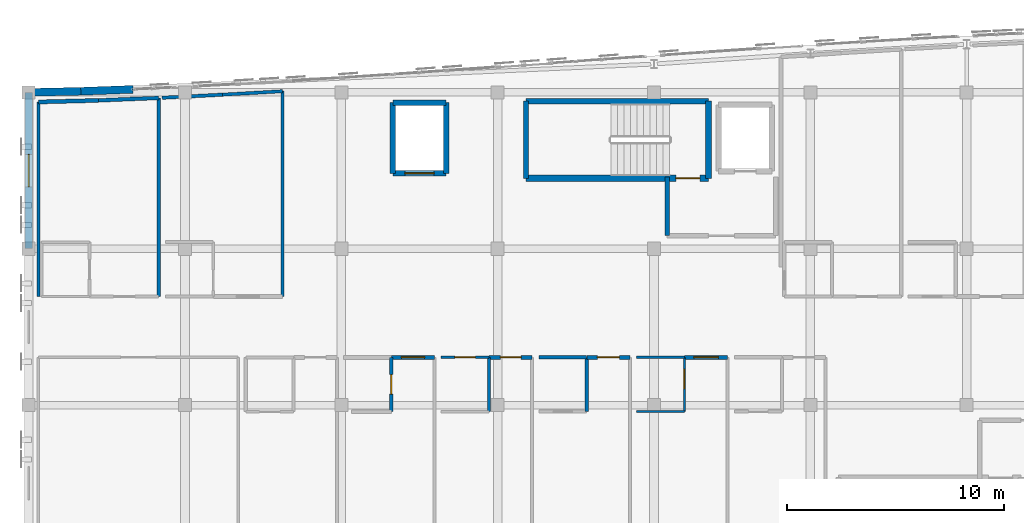
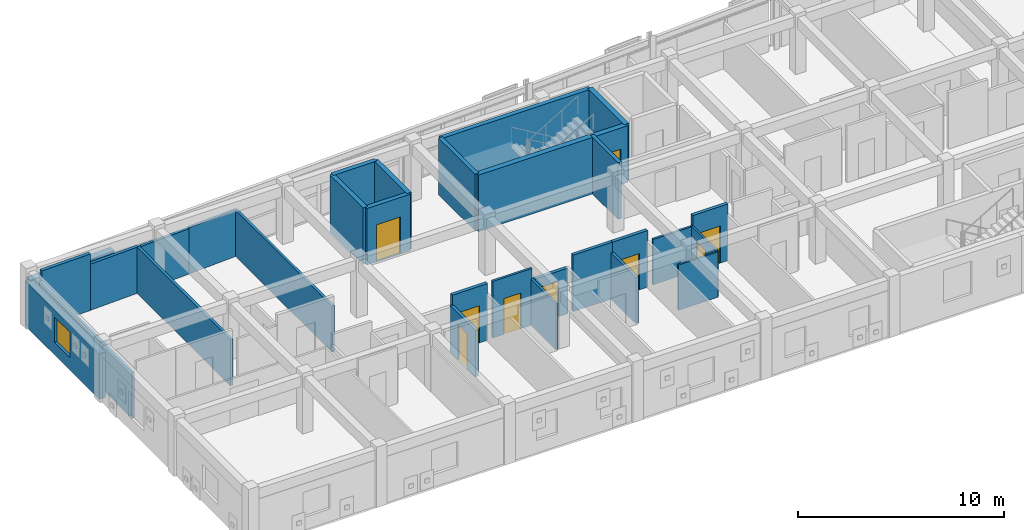
# One storey, part 39 of 51: 31 walls, 9 doors, 1 window, 10 openings.
"""IFC4 building model written with IfcOpenShell, lengths in metres."""

from ifc_helpers import new_model, si_unit, direction, frame, frame_2d, origin, place, context, subcontext, project, spatial, rectangle, extrude, material, layer, layer_set, type_object, element, fill, save


model = new_model("IFC4")

# Units and contexts
model_context = context("Model", 3, precision=1e-05, world=origin(), true_north=direction((0.0, 1.0)))
body_context = subcontext(model_context, "Body", "Model", "MODEL_VIEW")
ifc_project = project(units=[si_unit("LENGTHUNIT", "METRE"), si_unit("AREAUNIT", "SQUARE_METRE"), si_unit("VOLUMEUNIT", "CUBIC_METRE"), si_unit("PLANEANGLEUNIT", "RADIAN"), si_unit("MASSUNIT", "GRAM", prefix="KILO")], contexts=[model_context])

# Site, building, storey
site_placement = place(None, origin())
site = spatial("IfcSite", under=ifc_project, at=site_placement, CompositionType="ELEMENT")
building_placement = place(site_placement, origin())
building = spatial("IfcBuilding", under=site, at=building_placement, Name="Carrowvane Square Congress Hotel", CompositionType="ELEMENT")
storey_placement = place(building_placement, frame((0.0, 0.0, 30.0)))
storey = spatial("IfcBuildingStorey", under=building, at=storey_placement, Name="L07", CompositionType="ELEMENT", Elevation=30.0)

# Walls
ifc_material_1 = material(Name="Glazed terracotta rainscreen", Category="masonry")
ifc_layer_1 = layer(ifc_material_1, 0.360107421875)
ifc_layer_set_1 = layer_set([ifc_layer_1], Name="Glazed terracotta rainscreen")
wall_type_1 = type_object("IfcWallType", Name="WL-EXT-TC360", PredefinedType="STANDARD", material=ifc_layer_set_1)
wall_1_placement = place(storey_placement, frame((33.199951171875, 113.39990234375, 0.0), z_axis=(0.0, 0.0, 1.0), x_axis=(0.999767568547, 0.021559426766, 0.0)))
element("IfcWall", 1, at=wall_1_placement, inside=storey, type_object=wall_type_1, Name="L07 exterior facade wall 507", PredefinedType="STANDARD", context=body_context, shape_type="SweptSolid", body=[
    extrude(rectangle(XDim=2.400634765625, YDim=0.360107421875, at=frame_2d((1.2001953125, 0.0))), origin(), (0.0, 0.0, 1.0), 2.7451171875),
])
wall_2_placement = place(storey_placement, frame((35.60009765625, 113.45166015625, 0.0), z_axis=(0.0, 0.0, 1.0), x_axis=(0.99930757318, 0.037207179225, 0.0)))
element("IfcWall", 2, at=wall_2_placement, inside=storey, type_object=wall_type_1, Name="L07 exterior facade wall 508", PredefinedType="STANDARD", context=body_context, shape_type="SweptSolid", body=[
    extrude(rectangle(XDim=2.401611328125, YDim=0.360107421875, at=frame_2d((1.20068359375, 0.0))), origin(), (0.0, 0.0, 1.0), 2.7451171875),
])

# Wall, opening, window
wall_3_placement = place(storey_placement, frame((33.199951171875, 106.199951171875, 0.0), z_axis=(0.0, 0.0, 1.0), x_axis=(0.0, 1.0, 0.0)))
wall_3 = element("IfcWall", 3, at=wall_3_placement, inside=storey, type_object=wall_type_1, Name="L07 exterior facade wall 534", PredefinedType="STANDARD", context=body_context, shape_type="SweptSolid", body=[
    extrude(rectangle(XDim=7.199951171875, YDim=0.360107421875, at=frame_2d((3.60009765625, 0.0))), origin(), (0.0, 0.0, 1.0), 2.695068359375),
])
opening_1_placement = place(wall_3_placement, frame((2.85009765625, 0.0, 0.75)))
opening_1 = element("IfcOpeningElement", 4, at=opening_1_placement, cuts=wall_3, Name="Opening W-15", PredefinedType="OPENING", context=body_context, shape_type="SweptSolid", body=[
    extrude(rectangle(XDim=1.5, YDim=1.5, at=frame_2d((0.75, 0.75))), frame((0.0, 0.18994140625, 0.0), z_axis=(0.0, -1.0, 0.0), x_axis=(1.0, 0.0, 0.0)), (0.0, 0.0, 1.0), 0.380126953125),
])
ifc_material_2 = material(Name="Double-glazed low-E glass", Category="glass")
window_type = type_object("IfcWindowType", Name="WIN-15", PartitioningType="SINGLE_PANEL", PredefinedType="WINDOW", material=ifc_material_2)
window_placement = place(opening_1_placement, origin())
window = element("IfcWindow", 5, at=window_placement, inside=storey, type_object=window_type, Name="L07 facade window 373", OverallHeight=1.5, OverallWidth=1.5, PartitioningType="SINGLE_PANEL", PredefinedType="WINDOW", context=body_context, shape_type="SweptSolid", body=[
    extrude(rectangle(XDim=1.5, YDim=1.5, at=frame_2d((0.75, 0.75))), frame((0.0, 0.030029296875, 0.0), z_axis=(0.0, -1.0, 0.0), x_axis=(1.0, 0.0, 0.0)), (0.0, 0.0, 1.0), 0.06005859375),
])
fill(opening_1, window)

# Walls
ifc_material_3 = material(Name="Acoustic gypsum board", Category="gypsum")
ifc_layer_2 = layer(ifc_material_3, 0.155029296875)
ifc_layer_set_2 = layer_set([ifc_layer_2], Name="Acoustic gypsum board")
wall_type_2 = type_object("IfcWallType", Name="WL-FIR-155", PredefinedType="PARTITIONING", material=ifc_layer_set_2)
wall_4_placement = place(storey_placement, frame((58.89990234375, 101.199951171875, 0.0), z_axis=(0.0, 0.0, 1.0), x_axis=(0.0, -1.0, 0.0)))
element("IfcWall", 6, at=wall_4_placement, inside=storey, type_object=wall_type_2, Name="L07 En-suite Bathroom 0704 partition", PredefinedType="PARTITIONING", context=body_context, shape_type="SweptSolid", body=[
    extrude(rectangle(XDim=2.5, YDim=0.155029296875, at=frame_2d((1.25, 0.0))), origin(), (0.0, 0.0, 1.0), 2.7451171875),
])
wall_5_placement = place(storey_placement, frame((39.18994140625, 113.146484375, 0.0), z_axis=(0.0, 0.0, 1.0), x_axis=(0.0, -1.0, 0.0)))
element("IfcWall", 7, at=wall_5_placement, inside=storey, type_object=wall_type_2, Name="L07 Parkview Suite 0711 partition", PredefinedType="PARTITIONING", context=body_context, shape_type="SweptSolid", body=[
    extrude(rectangle(XDim=9.146484375, YDim=0.155029296875, at=frame_2d((4.5732421875, 0.0))), origin(), (0.0, 0.0, 1.0), 2.7451171875),
])
wall_6_placement = place(storey_placement, frame((39.35009765625, 113.15380859375, 0.0), z_axis=(0.0, 0.0, 1.0), x_axis=(0.998704922324, 0.05087708841, 0.0)))
element("IfcWall", 8, at=wall_6_placement, inside=storey, type_object=wall_type_2, Name="L07 Parkview Suite 0712 partition", PredefinedType="PARTITIONING", context=body_context, shape_type="SweptSolid", body=[
    extrude(rectangle(XDim=2.773681640625, YDim=0.155029296875, at=frame_2d((1.38671875, 0.0))), origin(), (0.0, 0.0, 1.0), 2.695068359375),
])

# Wall, opening, door
ifc_material_4 = material(Name="Acoustic gypsum board", Category="gypsum")
ifc_layer_3 = layer(ifc_material_4, 0.169921875)
ifc_layer_set_3 = layer_set([ifc_layer_3], Name="Acoustic gypsum board")
wall_type_3 = type_object("IfcWallType", Name="WL-FIR-170", PredefinedType="PARTITIONING", material=ifc_layer_set_3)
wall_7_placement = place(storey_placement, frame((49.89990234375, 101.199951171875, 0.0), z_axis=(0.0, 0.0, 1.0), x_axis=(0.0, -1.0, 0.0)))
wall_7 = element("IfcWall", 9, at=wall_7_placement, inside=storey, type_object=wall_type_3, Name="L07 En-suite Bathroom 0702 partition", PredefinedType="PARTITIONING", context=body_context, shape_type="SweptSolid", body=[
    extrude(rectangle(XDim=2.5, YDim=0.169921875, at=frame_2d((1.25, 0.0))), origin(), (0.0, 0.0, 1.0), 2.7451171875),
])
opening_2_placement = place(wall_7_placement, frame((0.800048828125, 0.0, 0.0)))
opening_2 = element("IfcOpeningElement", 10, at=opening_2_placement, cuts=wall_7, Name="Opening ID-02", PredefinedType="OPENING", context=body_context, shape_type="SweptSolid", body=[
    extrude(rectangle(XDim=0.89990234375, YDim=2.080078125, at=frame_2d((0.449951171875, 1.0400390625))), frame((0.0, 0.094970703125, 0.0), z_axis=(0.0, -1.0, 0.0), x_axis=(1.0, 0.0, 0.0)), (0.0, 0.0, 1.0), 0.18994140625),
])
ifc_material_5 = material(Name="European oak timber", Category="wood")
door_type_1 = type_object("IfcDoorType", Name="DR-INT-0900x2080", OperationType="NOTDEFINED", PredefinedType="DOOR", material=ifc_material_5)
door_1_placement = place(opening_2_placement, origin())
door_1 = element("IfcDoor", 11, at=door_1_placement, inside=storey, type_object=door_type_1, Name="L07 En-suite Bathroom 0702 door", OperationType="SINGLE_SWING_LEFT", OverallHeight=2.080078125, OverallWidth=0.89990234375, PredefinedType="DOOR", context=body_context, shape_type="SweptSolid", body=[
    extrude(rectangle(XDim=0.89990234375, YDim=2.080078125, at=frame_2d((0.449951171875, 1.0400390625))), frame((0.0, 0.02490234375, 0.0), z_axis=(0.0, -1.0, 0.0), x_axis=(1.0, 0.0, 0.0)), (0.0, 0.0, 1.0), 0.050048828125),
])
fill(opening_2, door_1)

# Walls
wall_8_placement = place(storey_placement, frame((56.699951171875, 101.199951171875, 0.0), z_axis=(0.0, 0.0, 1.0), x_axis=(1.0, 0.0, 0.0)))
element("IfcWall", 12, at=wall_8_placement, inside=storey, type_object=wall_type_3, Name="L07 En-suite Bathroom 0704 partition", PredefinedType="PARTITIONING", context=body_context, shape_type="SweptSolid", body=[
    extrude(rectangle(XDim=2.199951171875, YDim=0.169921875, at=frame_2d((1.10009765625, 0.0))), origin(), (0.0, 0.0, 1.0), 3.360107421875),
])
wall_9_placement = place(storey_placement, frame((36.419921875, 113.0322265625, 0.0), z_axis=(0.0, 0.0, 1.0), x_axis=(0.999150384548, 0.04121297197, 0.0)))
element("IfcWall", 13, at=wall_9_placement, inside=storey, type_object=wall_type_3, Name="L07 Parkview Suite 0711 partition", PredefinedType="PARTITIONING", context=body_context, shape_type="SweptSolid", body=[
    extrude(rectangle(XDim=2.7724609375, YDim=0.169921875, at=frame_2d((1.38623046875, 0.0))), origin(), (0.0, 0.0, 1.0), 2.7451171875),
])

# Wall, opening, door
ifc_material_6 = material(Name="Acoustic gypsum board", Category="gypsum")
ifc_layer_4 = layer(ifc_material_6, 0.18505859375)
ifc_layer_set_4 = layer_set([ifc_layer_4], Name="Acoustic gypsum board")
wall_type_4 = type_object("IfcWallType", Name="WL-FIR-185", PredefinedType="PARTITIONING", material=ifc_layer_set_4)
wall_10_placement = place(storey_placement, frame((49.909912109375, 101.199951171875, 0.0), z_axis=(0.0, 0.0, 1.0), x_axis=(1.0, 0.0, 0.0)))
wall_10 = element("IfcWall", 14, at=wall_10_placement, inside=storey, type_object=wall_type_4, Name="L07 Hotel Guest Bedroom 0702 partition", PredefinedType="PARTITIONING", context=body_context, shape_type="SweptSolid", body=[
    extrude(rectangle(XDim=1.97998046875, YDim=0.18505859375, at=frame_2d((0.989990234375, 0.0))), origin(), (0.0, 0.0, 1.0), 3.360107421875),
])
opening_3_placement = place(wall_10_placement, frame((0.4599609375, 0.0, 0.0)))
opening_3 = element("IfcOpeningElement", 15, at=opening_3_placement, cuts=wall_10, Name="Opening FD-09", PredefinedType="OPENING", context=body_context, shape_type="SweptSolid", body=[
    extrude(rectangle(XDim=1.06005859375, YDim=2.199951171875, at=frame_2d((0.530029296875, 1.10009765625))), frame((0.0, 0.1025390625, 0.0), z_axis=(0.0, -1.0, 0.0), x_axis=(1.0, 0.0, 0.0)), (0.0, 0.0, 1.0), 0.205078125),
])
ifc_material_7 = material(Name="European oak timber", Category="wood")
door_type_2 = type_object("IfcDoorType", Name="DR-FD30-1060x2200", OperationType="NOTDEFINED", PredefinedType="DOOR", material=ifc_material_7)
door_2_placement = place(opening_3_placement, origin())
door_2 = element("IfcDoor", 16, at=door_2_placement, inside=storey, type_object=door_type_2, Name="L07 Hotel Guest Bedroom 0702 entrance door", OperationType="SINGLE_SWING_RIGHT", OverallHeight=2.199951171875, OverallWidth=1.06005859375, PredefinedType="DOOR", context=body_context, shape_type="SweptSolid", body=[
    extrude(rectangle(XDim=1.06005859375, YDim=2.199951171875, at=frame_2d((0.530029296875, 1.10009765625))), frame((0.0, 0.02490234375, 0.0), z_axis=(0.0, -1.0, 0.0), x_axis=(1.0, 0.0, 0.0)), (0.0, 0.0, 1.0), 0.050048828125),
])
fill(opening_3, door_2)

wall_11_placement = place(storey_placement, frame((54.409912109375, 101.199951171875, 0.0), z_axis=(0.0, 0.0, 1.0), x_axis=(1.0, 0.0, 0.0)))
wall_11 = element("IfcWall", 17, at=wall_11_placement, inside=storey, type_object=wall_type_4, Name="L07 Hotel Guest Bedroom 0703 partition", PredefinedType="PARTITIONING", context=body_context, shape_type="SweptSolid", body=[
    extrude(rectangle(XDim=1.97998046875, YDim=0.18505859375, at=frame_2d((0.989990234375, 0.0))), origin(), (0.0, 0.0, 1.0), 2.695068359375),
])
opening_4_placement = place(wall_11_placement, frame((0.514892578125, 0.0, 0.0)))
opening_4 = element("IfcOpeningElement", 18, at=opening_4_placement, cuts=wall_11, Name="Opening FD-06", PredefinedType="OPENING", context=body_context, shape_type="SweptSolid", body=[
    extrude(rectangle(XDim=0.949951171875, YDim=2.10009765625, at=frame_2d((0.47509765625, 1.050048828125))), frame((0.0, 0.1025390625, 0.0), z_axis=(0.0, -1.0, 0.0), x_axis=(1.0, 0.0, 0.0)), (0.0, 0.0, 1.0), 0.205078125),
])
ifc_material_8 = material(Name="European oak timber", Category="wood")
door_type_3 = type_object("IfcDoorType", Name="DR-FD30-0950x2100", OperationType="NOTDEFINED", PredefinedType="DOOR", material=ifc_material_8)
door_3_placement = place(opening_4_placement, origin())
door_3 = element("IfcDoor", 19, at=door_3_placement, inside=storey, type_object=door_type_3, Name="L07 Hotel Guest Bedroom 0703 entrance door", OperationType="SINGLE_SWING_RIGHT", OverallHeight=2.10009765625, OverallWidth=0.949951171875, PredefinedType="DOOR", context=body_context, shape_type="SweptSolid", body=[
    extrude(rectangle(XDim=0.949951171875, YDim=2.10009765625, at=frame_2d((0.47509765625, 1.050048828125))), frame((0.0, 0.02490234375, 0.0), z_axis=(0.0, -1.0, 0.0), x_axis=(1.0, 0.0, 0.0)), (0.0, 0.0, 1.0), 0.050048828125),
])
fill(opening_4, door_3)

wall_12_placement = place(storey_placement, frame((58.909912109375, 101.199951171875, 0.0), z_axis=(0.0, 0.0, 1.0), x_axis=(1.0, 0.0, 0.0)))
wall_12 = element("IfcWall", 20, at=wall_12_placement, inside=storey, type_object=wall_type_4, Name="L07 Hotel Guest Bedroom 0704 partition", PredefinedType="PARTITIONING", context=body_context, shape_type="SweptSolid", body=[
    extrude(rectangle(XDim=1.97998046875, YDim=0.18505859375, at=frame_2d((0.989990234375, 0.0))), origin(), (0.0, 0.0, 1.0), 3.360107421875),
])
opening_5_placement = place(wall_12_placement, frame((0.47998046875, 0.0, 0.0)))
opening_5 = element("IfcOpeningElement", 21, at=opening_5_placement, cuts=wall_12, Name="Opening FD-08", PredefinedType="OPENING", context=body_context, shape_type="SweptSolid", body=[
    extrude(rectangle(XDim=1.02001953125, YDim=2.14990234375, at=frame_2d((0.510009765625, 1.074951171875))), frame((0.0, 0.1025390625, 0.0), z_axis=(0.0, -1.0, 0.0), x_axis=(1.0, 0.0, 0.0)), (0.0, 0.0, 1.0), 0.205078125),
])
ifc_material_9 = material(Name="European oak timber", Category="wood")
door_type_4 = type_object("IfcDoorType", Name="DR-FD30-1020x2150", OperationType="NOTDEFINED", PredefinedType="DOOR", material=ifc_material_9)
door_4_placement = place(opening_5_placement, origin())
door_4 = element("IfcDoor", 22, at=door_4_placement, inside=storey, type_object=door_type_4, Name="L07 Hotel Guest Bedroom 0704 entrance door", OperationType="SINGLE_SWING_RIGHT", OverallHeight=2.14990234375, OverallWidth=1.02001953125, PredefinedType="DOOR", context=body_context, shape_type="SweptSolid", body=[
    extrude(rectangle(XDim=1.02001953125, YDim=2.14990234375, at=frame_2d((0.510009765625, 1.074951171875))), frame((0.0, 0.02490234375, 0.0), z_axis=(0.0, -1.0, 0.0), x_axis=(1.0, 0.0, 0.0)), (0.0, 0.0, 1.0), 0.050048828125),
])
fill(opening_5, door_4)

wall_13_placement = place(storey_placement, frame((63.409912109375, 101.199951171875, 0.0), z_axis=(0.0, 0.0, 1.0), x_axis=(1.0, 0.0, 0.0)))
wall_13 = element("IfcWall", 23, at=wall_13_placement, inside=storey, type_object=wall_type_4, Name="L07 Hotel Guest Bedroom 0705 partition", PredefinedType="PARTITIONING", context=body_context, shape_type="SweptSolid", body=[
    extrude(rectangle(XDim=1.97998046875, YDim=0.18505859375, at=frame_2d((0.989990234375, 0.0))), origin(), (0.0, 0.0, 1.0), 3.360107421875),
])
opening_6_placement = place(wall_13_placement, frame((0.429931640625, 0.0, 0.0)))
opening_6 = element("IfcOpeningElement", 24, at=opening_6_placement, cuts=wall_13, Name="Opening FD-10", PredefinedType="OPENING", context=body_context, shape_type="SweptSolid", body=[
    extrude(rectangle(XDim=1.1201171875, YDim=2.199951171875, at=frame_2d((0.56005859375, 1.10009765625))), frame((0.0, 0.1025390625, 0.0), z_axis=(0.0, -1.0, 0.0), x_axis=(1.0, 0.0, 0.0)), (0.0, 0.0, 1.0), 0.205078125),
])
ifc_material_10 = material(Name="European oak timber", Category="wood")
door_type_5 = type_object("IfcDoorType", Name="DR-FD30-1120x2200", OperationType="NOTDEFINED", PredefinedType="DOOR", material=ifc_material_10)
door_5_placement = place(opening_6_placement, origin())
door_5 = element("IfcDoor", 25, at=door_5_placement, inside=storey, type_object=door_type_5, Name="L07 Hotel Guest Bedroom 0705 entrance door", OperationType="SINGLE_SWING_RIGHT", OverallHeight=2.199951171875, OverallWidth=1.1201171875, PredefinedType="DOOR", context=body_context, shape_type="SweptSolid", body=[
    extrude(rectangle(XDim=1.1201171875, YDim=2.199951171875, at=frame_2d((0.56005859375, 1.10009765625))), frame((0.0, 0.02490234375, 0.0), z_axis=(0.0, -1.0, 0.0), x_axis=(1.0, 0.0, 0.0)), (0.0, 0.0, 1.0), 0.050048828125),
])
fill(opening_6, door_5)

# Walls
wall_14_placement = place(storey_placement, frame((33.64990234375, 112.959716796875, 0.0), z_axis=(0.0, 0.0, 1.0), x_axis=(0.999657568092, 0.026167662412, 0.0)))
element("IfcWall", 26, at=wall_14_placement, inside=storey, type_object=wall_type_4, Name="L07 Parkview Suite 0711 partition", PredefinedType="PARTITIONING", context=body_context, shape_type="SweptSolid", body=[
    extrude(rectangle(XDim=2.77099609375, YDim=0.18505859375, at=frame_2d((1.385498046875, 0.0))), origin(), (0.0, 0.0, 1.0), 3.360107421875),
])
ifc_material_11 = material(Name="Acoustic gypsum board", Category="gypsum")
ifc_layer_5 = layer(ifc_material_11, 0.205078125)
ifc_layer_set_5 = layer_set([ifc_layer_5], Name="Acoustic gypsum board")
wall_type_5 = type_object("IfcWallType", Name="WL-FIR-205", PredefinedType="PARTITIONING", material=ifc_layer_set_5)
wall_15_placement = place(storey_placement, frame((62.60009765625, 109.5, 0.0), z_axis=(0.0, 0.0, 1.0), x_axis=(0.0, -1.0, 0.0)))
element("IfcWall", 27, at=wall_15_placement, inside=storey, type_object=wall_type_5, Name="L07 Firefighting Lobby C1 wall west", PredefinedType="PARTITIONING", context=body_context, shape_type="SweptSolid", body=[
    extrude(rectangle(XDim=2.699951171875, YDim=0.205078125, at=frame_2d((1.35009765625, 0.0))), origin(), (0.0, 0.0, 1.0), 3.360107421875),
])
ifc_material_12 = material(Name="Acoustic gypsum board", Category="gypsum")
ifc_layer_6 = layer(ifc_material_12, 0.097900390625)
ifc_layer_set_6 = layer_set([ifc_layer_6], Name="Acoustic gypsum board")
wall_type_6 = type_object("IfcWallType", Name="WL-PRT-098", PredefinedType="PARTITIONING", material=ifc_layer_set_6)
wall_16_placement = place(storey_placement, frame((63.39990234375, 98.699951171875, 0.0), z_axis=(0.0, 0.0, 1.0), x_axis=(-1.0, 0.0, 0.0)))
element("IfcWall", 28, at=wall_16_placement, inside=storey, type_object=wall_type_6, Name="L07 En-suite Bathroom 0705 partition", PredefinedType="PARTITIONING", context=body_context, shape_type="SweptSolid", body=[
    extrude(rectangle(XDim=2.199951171875, YDim=0.097900390625, at=frame_2d((1.10009765625, 0.0))), origin(), (0.0, 0.0, 1.0), 2.695068359375),
])

# Wall, opening, door
ifc_material_13 = material(Name="Acoustic gypsum board", Category="gypsum")
ifc_layer_7 = layer(ifc_material_13, 0.10791015625)
ifc_layer_set_7 = layer_set([ifc_layer_7], Name="Acoustic gypsum board")
wall_type_7 = type_object("IfcWallType", Name="WL-PRT-108", PredefinedType="PARTITIONING", material=ifc_layer_set_7)
wall_17_placement = place(storey_placement, frame((63.39990234375, 101.199951171875, 0.0), z_axis=(0.0, 0.0, 1.0), x_axis=(0.0, -1.0, 0.0)))
wall_17 = element("IfcWall", 29, at=wall_17_placement, inside=storey, type_object=wall_type_7, Name="L07 En-suite Bathroom 0705 partition", PredefinedType="PARTITIONING", context=body_context, shape_type="SweptSolid", body=[
    extrude(rectangle(XDim=2.5, YDim=0.10791015625, at=frame_2d((1.25, 0.0))), origin(), (0.0, 0.0, 1.0), 2.7451171875),
])
opening_7_placement = place(wall_17_placement, frame((0.544921875, 0.0, 0.0)))
opening_7 = element("IfcOpeningElement", 30, at=opening_7_placement, cuts=wall_17, Name="Opening ID-17", PredefinedType="OPENING", context=body_context, shape_type="SweptSolid", body=[
    extrude(rectangle(XDim=0.909912109375, YDim=2.110107421875, at=frame_2d((0.455078125, 1.05517578125))), frame((0.0, 0.06396484375, 0.0), z_axis=(0.0, -1.0, 0.0), x_axis=(1.0, 0.0, 0.0)), (0.0, 0.0, 1.0), 0.1279296875),
])
ifc_material_14 = material(Name="European oak timber", Category="wood")
door_type_6 = type_object("IfcDoorType", Name="DR-INT-0910x2110", OperationType="NOTDEFINED", PredefinedType="DOOR", material=ifc_material_14)
door_6_placement = place(opening_7_placement, origin())
door_6 = element("IfcDoor", 31, at=door_6_placement, inside=storey, type_object=door_type_6, Name="L07 En-suite Bathroom 0705 door", OperationType="SINGLE_SWING_LEFT", OverallHeight=2.110107421875, OverallWidth=0.909912109375, PredefinedType="DOOR", context=body_context, shape_type="SweptSolid", body=[
    extrude(rectangle(XDim=0.909912109375, YDim=2.110107421875, at=frame_2d((0.455078125, 1.05517578125))), frame((0.0, 0.02490234375, 0.0), z_axis=(0.0, -1.0, 0.0), x_axis=(1.0, 0.0, 0.0)), (0.0, 0.0, 1.0), 0.050048828125),
])
fill(opening_7, door_6)

# Walls
ifc_material_15 = material(Name="Acoustic gypsum board", Category="gypsum")
ifc_layer_8 = layer(ifc_material_15, 0.117919921875)
ifc_layer_set_8 = layer_set([ifc_layer_8], Name="Acoustic gypsum board")
wall_type_8 = type_object("IfcWallType", Name="WL-PRT-118", PredefinedType="PARTITIONING", material=ifc_layer_set_8)
wall_18_placement = place(storey_placement, frame((54.39990234375, 101.199951171875, 0.0), z_axis=(0.0, 0.0, 1.0), x_axis=(0.0, -1.0, 0.0)))
element("IfcWall", 32, at=wall_18_placement, inside=storey, type_object=wall_type_8, Name="L07 En-suite Bathroom 0703 partition", PredefinedType="PARTITIONING", context=body_context, shape_type="SweptSolid", body=[
    extrude(rectangle(XDim=2.5, YDim=0.117919921875, at=frame_2d((1.25, 0.0))), origin(), (0.0, 0.0, 1.0), 2.7451171875),
])
wall_19_placement = place(storey_placement, frame((61.199951171875, 101.199951171875, 0.0), z_axis=(0.0, 0.0, 1.0), x_axis=(1.0, 0.0, 0.0)))
element("IfcWall", 33, at=wall_19_placement, inside=storey, type_object=wall_type_8, Name="L07 En-suite Bathroom 0705 partition", PredefinedType="PARTITIONING", context=body_context, shape_type="SweptSolid", body=[
    extrude(rectangle(XDim=2.199951171875, YDim=0.117919921875, at=frame_2d((1.10009765625, 0.0))), origin(), (0.0, 0.0, 1.0), 2.695068359375),
])

# Wall, opening, door
ifc_material_16 = material(Name="Acoustic gypsum board", Category="gypsum")
ifc_layer_9 = layer(ifc_material_16, 0.1279296875)
ifc_layer_set_9 = layer_set([ifc_layer_9], Name="Acoustic gypsum board")
wall_type_9 = type_object("IfcWallType", Name="WL-PRT-128", PredefinedType="PARTITIONING", material=ifc_layer_set_9)
wall_20_placement = place(storey_placement, frame((52.199951171875, 101.199951171875, 0.0), z_axis=(0.0, 0.0, 1.0), x_axis=(1.0, 0.0, 0.0)))
wall_20 = element("IfcWall", 34, at=wall_20_placement, inside=storey, type_object=wall_type_9, Name="L07 En-suite Bathroom 0703 partition", PredefinedType="PARTITIONING", context=body_context, shape_type="SweptSolid", body=[
    extrude(rectangle(XDim=2.199951171875, YDim=0.1279296875, at=frame_2d((1.10009765625, 0.0))), origin(), (0.0, 0.0, 1.0), 3.360107421875),
])
opening_8_placement = place(wall_20_placement, frame((0.6298828125, 0.0, 0.0)))
opening_8 = element("IfcOpeningElement", 35, at=opening_8_placement, cuts=wall_20, Name="Opening ID-04", PredefinedType="OPENING", context=body_context, shape_type="SweptSolid", body=[
    extrude(rectangle(XDim=0.93994140625, YDim=2.1201171875, at=frame_2d((0.469970703125, 1.06005859375))), frame((0.0, 0.073974609375, 0.0), z_axis=(0.0, -1.0, 0.0), x_axis=(1.0, 0.0, 0.0)), (0.0, 0.0, 1.0), 0.14794921875),
])
ifc_material_17 = material(Name="European oak timber", Category="wood")
door_type_7 = type_object("IfcDoorType", Name="DR-INT-0940x2120", OperationType="NOTDEFINED", PredefinedType="DOOR", material=ifc_material_17)
door_7_placement = place(opening_8_placement, origin())
door_7 = element("IfcDoor", 36, at=door_7_placement, inside=storey, type_object=door_type_7, Name="L07 En-suite Bathroom 0703 door", OperationType="SINGLE_SWING_LEFT", OverallHeight=2.1201171875, OverallWidth=0.93994140625, PredefinedType="DOOR", context=body_context, shape_type="SweptSolid", body=[
    extrude(rectangle(XDim=0.93994140625, YDim=2.1201171875, at=frame_2d((0.469970703125, 1.06005859375))), frame((0.0, 0.02490234375, 0.0), z_axis=(0.0, -1.0, 0.0), x_axis=(1.0, 0.0, 0.0)), (0.0, 0.0, 1.0), 0.050048828125),
])
fill(opening_8, door_7)

# Walls
ifc_material_18 = material(Name="Acoustic gypsum board", Category="gypsum")
ifc_layer_10 = layer(ifc_material_18, 0.137939453125)
ifc_layer_set_10 = layer_set([ifc_layer_10], Name="Acoustic gypsum board")
wall_type_10 = type_object("IfcWallType", Name="WL-PRT-138", PredefinedType="PARTITIONING", material=ifc_layer_set_10)
wall_21_placement = place(storey_placement, frame((33.64990234375, 104.0, 0.0), z_axis=(0.0, 0.0, 1.0), x_axis=(0.0, 1.0, 0.0)))
element("IfcWall", 37, at=wall_21_placement, inside=storey, type_object=wall_type_10, Name="L07 Parkview Suite 0711 partition", PredefinedType="PARTITIONING", context=body_context, shape_type="SweptSolid", body=[
    extrude(rectangle(XDim=8.959716796875, YDim=0.137939453125, at=frame_2d((4.47998046875, 0.0))), origin(), (0.0, 0.0, 1.0), 2.7451171875),
])
wall_22_placement = place(storey_placement, frame((44.889892578125, 113.454833984375, 0.0), z_axis=(0.0, 0.0, 1.0), x_axis=(0.0, -1.0, 0.0)))
element("IfcWall", 38, at=wall_22_placement, inside=storey, type_object=wall_type_10, Name="L07 Parkview Suite 0712 partition", PredefinedType="PARTITIONING", context=body_context, shape_type="SweptSolid", body=[
    extrude(rectangle(XDim=9.454833984375, YDim=0.137939453125, at=frame_2d((4.7275390625, 0.0))), origin(), (0.0, 0.0, 1.0), 2.7451171875),
])
ifc_material_19 = material(Name="Acoustic gypsum board", Category="gypsum")
ifc_layer_11 = layer(ifc_material_19, 0.14794921875)
ifc_layer_set_11 = layer_set([ifc_layer_11], Name="Acoustic gypsum board")
wall_type_11 = type_object("IfcWallType", Name="WL-PRT-148", PredefinedType="PARTITIONING", material=ifc_layer_set_11)
wall_23_placement = place(storey_placement, frame((42.1201171875, 113.294921875, 0.0), z_axis=(0.0, 0.0, 1.0), x_axis=(0.998337508109, 0.057638701438, 0.0)))
element("IfcWall", 39, at=wall_23_placement, inside=storey, type_object=wall_type_11, Name="L07 Parkview Suite 0712 partition", PredefinedType="PARTITIONING", context=body_context, shape_type="SweptSolid", body=[
    extrude(rectangle(XDim=2.7744140625, YDim=0.14794921875, at=frame_2d((1.38720703125, 0.0))), origin(), (0.0, 0.0, 1.0), 2.7451171875),
])
ifc_material_20 = material(Name="Concrete C40/50", Category="concrete")
ifc_layer_12 = layer(ifc_material_20, 0.22509765625)
ifc_layer_set_12 = layer_set([ifc_layer_12], Name="Concrete C40/50")
wall_type_12 = type_object("IfcWallType", Name="WL-SHR-225", PredefinedType="SHEAR", material=ifc_layer_set_12)
wall_24_placement = place(storey_placement, frame((56.10009765625, 113.0, 0.0), z_axis=(0.0, 0.0, 1.0), x_axis=(0.0, -1.0, 0.0)))
element("IfcWall", 40, at=wall_24_placement, inside=storey, type_object=wall_type_12, Name="L07 ST1 core wall west", PredefinedType="SHEAR", context=body_context, shape_type="SweptSolid", body=[
    extrude(rectangle(XDim=3.56005859375, YDim=0.22509765625, at=frame_2d((1.780029296875, 0.0))), origin(), (0.0, 0.0, 1.0), 3.360107421875),
])
ifc_material_21 = material(Name="Concrete C40/50", Category="concrete")
ifc_layer_13 = layer(ifc_material_21, 0.25)
ifc_layer_set_13 = layer_set([ifc_layer_13], Name="Concrete C40/50")
wall_type_13 = type_object("IfcWallType", Name="WL-SHR-250", PredefinedType="SHEAR", material=ifc_layer_set_13)
wall_25_placement = place(storey_placement, frame((64.5, 113.0, 0.0), z_axis=(0.0, 0.0, 1.0), x_axis=(-1.0, 0.0, 0.0)))
element("IfcWall", 41, at=wall_25_placement, inside=storey, type_object=wall_type_13, Name="L07 ST1 core wall north", PredefinedType="SHEAR", context=body_context, shape_type="SweptSolid", body=[
    extrude(rectangle(XDim=8.39990234375, YDim=0.25, at=frame_2d((4.199951171875, 0.0))), origin(), (0.0, 0.0, 1.0), 3.360107421875),
])

# Wall, opening, door
wall_26_placement = place(storey_placement, frame((49.97509765625, 109.675048828125, 0.0), z_axis=(0.0, 0.0, 1.0), x_axis=(1.0, 0.0, 0.0)))
wall_26 = element("IfcWall", 42, at=wall_26_placement, inside=storey, type_object=wall_type_13, Name="L07 SL-1 shaft wall south", PredefinedType="SHEAR", context=body_context, shape_type="SweptSolid", body=[
    extrude(rectangle(XDim=2.449951171875, YDim=0.25, at=frame_2d((1.22509765625, 0.0))), origin(), (0.0, 0.0, 1.0), 3.360107421875),
])
opening_9_placement = place(wall_26_placement, frame((0.550048828125, 0.0, 0.0)))
opening_9 = element("IfcOpeningElement", 43, at=opening_9_placement, cuts=wall_26, Name="Opening LD-SL-1", PredefinedType="OPENING", context=body_context, shape_type="SweptSolid", body=[
    extrude(rectangle(XDim=1.35009765625, YDim=2.199951171875, at=frame_2d((0.675048828125, 1.10009765625))), frame((0.0, 0.135009765625, 0.0), z_axis=(0.0, -1.0, 0.0), x_axis=(1.0, 0.0, 0.0)), (0.0, 0.0, 1.0), 0.27001953125),
])
ifc_material_22 = material(Name="Stainless steel 316", Category="steel")
door_type_8 = type_object("IfcDoorType", Name="DR-LD-1350x2200", OperationType="DOUBLE_DOOR_SLIDING", PredefinedType="DOOR", material=ifc_material_22)
door_8_placement = place(opening_9_placement, origin())
door_8 = element("IfcDoor", 44, at=door_8_placement, inside=storey, type_object=door_type_8, Name="L07 SL-1 sliding lift landing door", OperationType="DOUBLE_DOOR_SLIDING", OverallHeight=2.199951171875, OverallWidth=1.35009765625, PredefinedType="DOOR", context=body_context, shape_type="SweptSolid", body=[
    extrude(rectangle(XDim=1.35009765625, YDim=2.199951171875, at=frame_2d((0.675048828125, 1.10009765625))), frame((0.0, 0.02490234375, 0.0), z_axis=(0.0, -1.0, 0.0), x_axis=(1.0, 0.0, 0.0)), (0.0, 0.0, 1.0), 0.050048828125),
])
fill(opening_9, door_8)

# Walls
wall_27_placement = place(storey_placement, frame((52.425048828125, 109.675048828125, 0.0), z_axis=(0.0, 0.0, 1.0), x_axis=(0.0, 1.0, 0.0)))
element("IfcWall", 45, at=wall_27_placement, inside=storey, type_object=wall_type_13, Name="L07 SL-1 shaft wall east", PredefinedType="SHEAR", context=body_context, shape_type="SweptSolid", body=[
    extrude(rectangle(XDim=3.25, YDim=0.25, at=frame_2d((1.625, 0.0))), origin(), (0.0, 0.0, 1.0), 3.360107421875),
])
wall_28_placement = place(storey_placement, frame((52.425048828125, 112.925048828125, 0.0), z_axis=(0.0, 0.0, 1.0), x_axis=(-1.0, 0.0, 0.0)))
element("IfcWall", 46, at=wall_28_placement, inside=storey, type_object=wall_type_13, Name="L07 SL-1 shaft wall north", PredefinedType="SHEAR", context=body_context, shape_type="SweptSolid", body=[
    extrude(rectangle(XDim=2.449951171875, YDim=0.25, at=frame_2d((1.22509765625, 0.0))), origin(), (0.0, 0.0, 1.0), 3.360107421875),
])
wall_29_placement = place(storey_placement, frame((49.97509765625, 112.925048828125, 0.0), z_axis=(0.0, 0.0, 1.0), x_axis=(0.0, -1.0, 0.0)))
element("IfcWall", 47, at=wall_29_placement, inside=storey, type_object=wall_type_13, Name="L07 SL-1 shaft wall west", PredefinedType="SHEAR", context=body_context, shape_type="SweptSolid", body=[
    extrude(rectangle(XDim=3.25, YDim=0.25, at=frame_2d((1.625, 0.0))), origin(), (0.0, 0.0, 1.0), 3.360107421875),
])
ifc_material_23 = material(Name="Concrete C40/50", Category="concrete")
ifc_layer_14 = layer(ifc_material_23, 0.27490234375)
ifc_layer_set_14 = layer_set([ifc_layer_14], Name="Concrete C40/50")
wall_type_14 = type_object("IfcWallType", Name="WL-SHR-275", PredefinedType="SHEAR", material=ifc_layer_set_14)
wall_30_placement = place(storey_placement, frame((64.5, 109.43994140625, 0.0), z_axis=(0.0, 0.0, 1.0), x_axis=(0.0, 1.0, 0.0)))
element("IfcWall", 48, at=wall_30_placement, inside=storey, type_object=wall_type_14, Name="L07 ST1 core wall east", PredefinedType="SHEAR", context=body_context, shape_type="SweptSolid", body=[
    extrude(rectangle(XDim=3.56005859375, YDim=0.27490234375, at=frame_2d((1.780029296875, 0.0))), origin(), (0.0, 0.0, 1.0), 3.360107421875),
])

# Wall, opening, door
ifc_material_24 = material(Name="Concrete C40/50", Category="concrete")
ifc_layer_15 = layer(ifc_material_24, 0.300048828125)
ifc_layer_set_15 = layer_set([ifc_layer_15], Name="Concrete C40/50")
wall_type_15 = type_object("IfcWallType", Name="WL-SHR-300", PredefinedType="SHEAR", material=ifc_layer_set_15)
wall_31_placement = place(storey_placement, frame((56.10009765625, 109.43994140625, 0.0), z_axis=(0.0, 0.0, 1.0), x_axis=(1.0, 0.0, 0.0)))
wall_31 = element("IfcWall", 49, at=wall_31_placement, inside=storey, type_object=wall_type_15, Name="L07 ST1 core wall south", PredefinedType="SHEAR", context=body_context, shape_type="SweptSolid", body=[
    extrude(rectangle(XDim=8.39990234375, YDim=0.300048828125, at=frame_2d((4.199951171875, 0.0))), origin(), (0.0, 0.0, 1.0), 3.360107421875),
])
opening_10_placement = place(wall_31_placement, frame((6.909912109375, 0.0, 0.0)))
opening_10 = element("IfcOpeningElement", 50, at=opening_10_placement, cuts=wall_31, Name="Opening FD-01", PredefinedType="OPENING", context=body_context, shape_type="SweptSolid", body=[
    extrude(rectangle(XDim=1.10009765625, YDim=2.10009765625, at=frame_2d((0.550048828125, 1.050048828125))), frame((0.0, 0.159912109375, 0.0), z_axis=(0.0, -1.0, 0.0), x_axis=(1.0, 0.0, 0.0)), (0.0, 0.0, 1.0), 0.320068359375),
])
ifc_material_25 = material(Name="European oak timber", Category="wood")
door_type_9 = type_object("IfcDoorType", Name="DR-FD60-1100x2100", OperationType="NOTDEFINED", PredefinedType="DOOR", material=ifc_material_25)
door_9_placement = place(opening_10_placement, origin())
door_9 = element("IfcDoor", 51, at=door_9_placement, inside=storey, type_object=door_type_9, Name="L07 ST1 fire door", OperationType="SINGLE_SWING_LEFT", OverallHeight=2.10009765625, OverallWidth=1.10009765625, PredefinedType="DOOR", context=body_context, shape_type="SweptSolid", body=[
    extrude(rectangle(XDim=1.10009765625, YDim=2.10009765625, at=frame_2d((0.550048828125, 1.050048828125))), frame((0.0, 0.02490234375, 0.0), z_axis=(0.0, -1.0, 0.0), x_axis=(1.0, 0.0, 0.0)), (0.0, 0.0, 1.0), 0.050048828125),
])
fill(opening_10, door_9)

save(model, "model.ifc")
